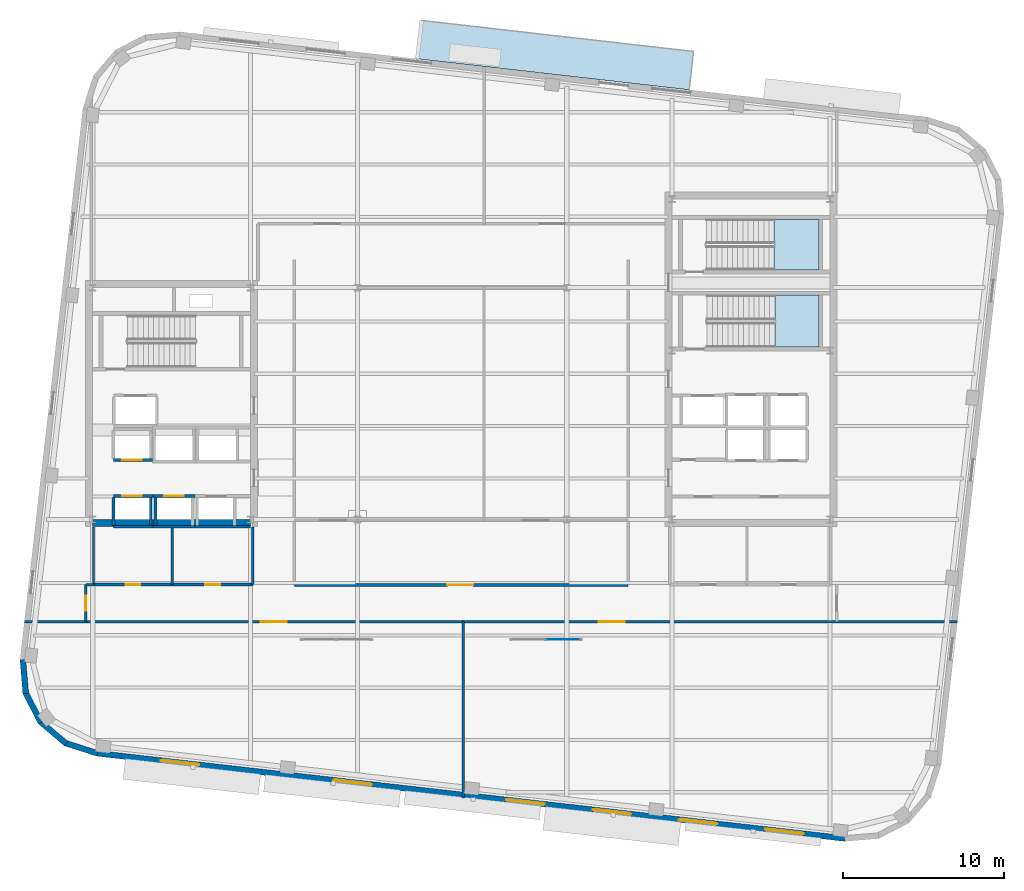
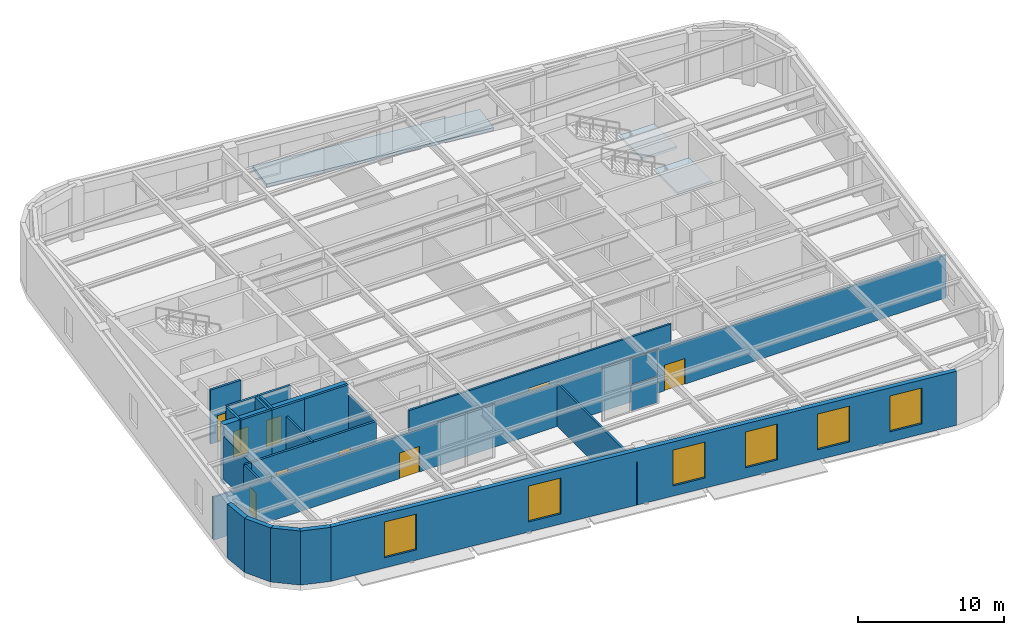
# One storey, part 7 of 15: 24 walls, 9 doors, 6 windows, 3 slabs, 2 plates, 15 openings, 3 elements without a shape of their own.
"""IFC4 building model written with IfcOpenShell, lengths in metres."""

from ifc_helpers import new_model, si_unit, direction, frame, frame_2d, origin, origin_2d, place, context, subcontext, project, spatial, polyline, rectangle, outline, extrude, material, layer, layer_set, type_object, element, fill, aggregate, save


model = new_model("IFC4")

# Units and contexts
model_context = context("Model", 3, precision=1e-05, world=origin(), true_north=direction((0.0, 1.0)))
body_context = subcontext(model_context, "Body", "Model", "MODEL_VIEW")
ifc_project = project(units=[si_unit("LENGTHUNIT", "METRE"), si_unit("AREAUNIT", "SQUARE_METRE"), si_unit("VOLUMEUNIT", "CUBIC_METRE"), si_unit("PLANEANGLEUNIT", "RADIAN"), si_unit("MASSUNIT", "GRAM", prefix="KILO")], contexts=[model_context])

# Site, building, storey
site_placement = place(None, origin())
site = spatial("IfcSite", under=ifc_project, at=site_placement, CompositionType="ELEMENT")
building_placement = place(site_placement, origin())
building = spatial("IfcBuilding", under=site, at=building_placement, Name="Kolvaren Arena Tower", CompositionType="ELEMENT")
storey_placement = place(building_placement, frame((0.0, 0.0, 216.14990234375)))
storey = spatial("IfcBuildingStorey", under=building, at=storey_placement, Name="L52", CompositionType="ELEMENT", Elevation=216.14990234375)

# Curtain wall, plates
ifc_material_1 = material(Name="Anodised aluminium unitised curtain wall", Category="aluminium")
curtain_wall_type = type_object("IfcCurtainWallType", Name="CW-SYS-03", PredefinedType="USERDEFINED", material=ifc_material_1)
curtain_wall_placement = place(storey_placement, origin())
curtain_wall = element("IfcCurtainWall", 1, at=curtain_wall_placement, inside=storey, type_object=curtain_wall_type, Name="Sky Lobby Feature Curtain Wall (L52)", ObjectType="UNITISED CURTAIN WALL", PredefinedType="USERDEFINED")
ifc_material_2 = material(Name="Triple-silver low-E insulated glazing unit", Category="glass")
ifc_layer_1 = layer(ifc_material_2, 0.0439453125)
ifc_layer_set_1 = layer_set([ifc_layer_1], Name="Triple-silver low-E insulated glazing unit")
plate_type = type_object("IfcPlateType", Name="CWP-VIS1", PredefinedType="CURTAIN_PANEL", material=ifc_layer_set_1)
plate_1_placement = place(storey_placement, frame((43.780029296875, 12.0, 0.080078125), z_axis=(0.0, 0.0, 1.0), x_axis=(1.0, 0.0, 0.0)))
plate_1 = element("IfcPlate", 2, at=plate_1_placement, type_object=plate_type, Name="CW3 panel 2.1", PredefinedType="CURTAIN_PANEL", context=body_context, shape_type="SweptSolid", body=[
    extrude(rectangle(XDim=2.080078125, YDim=0.0439453125, at=origin_2d()), origin(), (0.0, 0.0, 1.0), 2.14501953125),
])
plate_2_placement = place(storey_placement, frame((43.780029296875, 12.0, 2.30517578125), z_axis=(0.0, 0.0, 1.0), x_axis=(1.0, 0.0, 0.0)))
plate_2 = element("IfcPlate", 3, at=plate_2_placement, type_object=plate_type, Name="CW3 panel 2.2", PredefinedType="CURTAIN_PANEL", context=body_context, shape_type="SweptSolid", body=[
    extrude(rectangle(XDim=2.080078125, YDim=0.0439453125, at=origin_2d()), origin(), (0.0, 0.0, 1.0), 2.14501953125),
])
aggregate(curtain_wall, [plate_1, plate_2])

# Stair, slab
ifc_material_3 = material(Name="Concrete 45 MPa", Category="concrete")
stair_type_1 = type_object("IfcStairType", Name="STAIR-CORE-165", PredefinedType="HALF_TURN_STAIR", material=ifc_material_3)
stair_1_placement = place(storey_placement, origin())
stair_1 = element("IfcStair", 4, at=stair_1_placement, inside=storey, type_object=stair_type_1, Name="L52 ST-E1", PredefinedType="HALF_TURN_STAIR")
ifc_layer_2 = layer(ifc_material_3, 0.199951171875)
ifc_layer_set_2 = layer_set([ifc_layer_2], Name="Concrete 45 MPa")
slab_type_1 = type_object("IfcSlabType", Name="SLAB-LAND", PredefinedType="LANDING", material=ifc_layer_set_2)
slab_1_placement = place(storey_placement, frame((0.0, 0.0, 2.2001953125)))
slab_1 = element("IfcSlab", 5, at=slab_1_placement, type_object=slab_type_1, Name="ST-E1 landing 1", PredefinedType="LANDING", context=body_context, shape_type="SweptSolid", body=[
    extrude(outline(polyline([(56.931884765625, 30.14990234375), (59.659912109375, 30.14990234375), (59.659912109375, 33.3798828125), (56.931884765625, 33.3798828125), (56.931884765625, 30.14990234375)])), origin(), (0.0, 0.0, 1.0), 0.199951171875),
])
aggregate(stair_1, [slab_1])

stair_type_2 = type_object("IfcStairType", Name="STAIR-CORE-150", PredefinedType="HALF_TURN_STAIR", material=ifc_material_3)
stair_2_placement = place(storey_placement, origin())
stair_2 = element("IfcStair", 6, at=stair_2_placement, inside=storey, type_object=stair_type_2, Name="L52 ST-E2", PredefinedType="HALF_TURN_STAIR")
slab_2_placement = place(storey_placement, frame((0.0, 0.0, 2.2001953125)))
slab_2 = element("IfcSlab", 7, at=slab_2_placement, type_object=slab_type_1, Name="ST-E2 landing 1", PredefinedType="LANDING", context=body_context, shape_type="SweptSolid", body=[
    extrude(outline(polyline([(56.89208984375, 34.949951171875), (59.659912109375, 34.949951171875), (59.659912109375, 38.10009765625), (56.89208984375, 38.10009765625), (56.89208984375, 34.949951171875)])), origin(), (0.0, 0.0, 1.0), 0.199951171875),
])
aggregate(stair_2, [slab_2])

# Slab
ifc_layer_3 = layer(ifc_material_3, 0.2548828125)
ifc_layer_set_3 = layer_set([ifc_layer_3], Name="Concrete 45 MPa")
slab_type_2 = type_object("IfcSlabType", Name="SLAB-TERR", PredefinedType="FLOOR", material=ifc_layer_set_3)
slab_3_placement = place(storey_placement, frame((0.0, 0.0, -0.25)))
element("IfcSlab", 8, at=slab_3_placement, inside=storey, type_object=slab_type_2, Name="L52 Planted Setback Roof Terrace Slab", PredefinedType="FLOOR", context=body_context, shape_type="SweptSolid", body=[
    extrude(outline(polyline([(34.71875, 48.066650390625), (51.609375, 46.14208984375), (51.881103515625, 48.526611328125), (34.990478515625, 50.451171875), (34.71875, 48.066650390625)])), origin(), (0.0, 0.0, 1.0), 0.25),
])

# Wall, opening, door
ifc_material_4 = material(Name="Gypsum board acoustic assembly", Category="gypsum")
ifc_layer_4 = layer(ifc_material_4, 0.159912109375)
ifc_layer_set_4 = layer_set([ifc_layer_4], Name="Gypsum board acoustic assembly")
wall_type_1 = type_object("IfcWallType", Name="CORR-160", PredefinedType="PARTITIONING", material=ifc_layer_set_4)
wall_1_placement = place(storey_placement, frame((27.080078125, 15.3798828125, 0.0), z_axis=(0.0, 0.0, 1.0), x_axis=(1.0, 0.0, 0.0)))
wall_1 = element("IfcWall", 9, at=wall_1_placement, inside=storey, type_object=wall_type_1, Name="Interior Partition Wall (L52)", PredefinedType="PARTITIONING", context=body_context, shape_type="SweptSolid", body=[
    extrude(rectangle(XDim=20.739990234375, YDim=0.159912109375, at=frame_2d((10.3701171875, 0.0))), origin(), (0.0, 0.0, 1.0), 3.590087890625),
])
opening_1_placement = place(wall_1_placement, frame((9.5, 0.0, 0.0)))
opening_1 = element("IfcOpeningElement", 10, at=opening_1_placement, cuts=wall_1, Name="Opening D06", PredefinedType="OPENING", context=body_context, shape_type="SweptSolid", body=[
    extrude(rectangle(XDim=1.60009765625, YDim=2.14990234375, at=frame_2d((0.800048828125, 1.074951171875))), frame((0.0, 0.08984375, 0.0), z_axis=(0.0, -1.0, 0.0), x_axis=(1.0, 0.0, 0.0)), (0.0, 0.0, 1.0), 0.179931640625),
])
ifc_material_5 = material(Name="Glazed acoustic boardroom double door", Category="aluminium")
door_type_1 = type_object("IfcDoorType", Name="DOOR-MT-160", OperationType="DOUBLE_DOOR_SINGLE_SWING", PredefinedType="DOOR", material=ifc_material_5)
door_1_placement = place(opening_1_placement, origin())
door_1 = element("IfcDoor", 11, at=door_1_placement, inside=storey, type_object=door_type_1, Name="South Viewing Lounge Door (L52)", OperationType="DOUBLE_DOOR_SINGLE_SWING", OverallHeight=2.14990234375, OverallWidth=1.60009765625, PredefinedType="DOOR", context=body_context, shape_type="SweptSolid", body=[
    extrude(rectangle(XDim=1.60009765625, YDim=2.14990234375, at=frame_2d((0.800048828125, 1.074951171875))), frame((0.0, 0.02490234375, 0.0), z_axis=(0.0, -1.0, 0.0), x_axis=(1.0, 0.0, 0.0)), (0.0, 0.0, 1.0), 0.050048828125),
])
fill(opening_1, door_1)

# Wall
wall_2_placement = place(storey_placement, frame((14.1201171875, 15.39990234375, 0.0), z_axis=(0.0, 0.0, 1.0), x_axis=(1.0, 0.0, 0.0)))
element("IfcWall", 12, at=wall_2_placement, inside=storey, type_object=wall_type_1, Name="Interior Partition Wall (L52)", PredefinedType="PARTITIONING", context=body_context, shape_type="SweptSolid", body=[
    extrude(rectangle(XDim=0.5, YDim=0.159912109375, at=frame_2d((0.25, 0.0))), origin(), (0.0, 0.0, 1.0), 3.590087890625),
])

# Wall, openings, doors
wall_3_placement = place(storey_placement, frame((10.303466796875, 13.10009765625, 0.0), z_axis=(0.0, 0.0, 1.0), x_axis=(1.0, 0.0, 0.0)))
wall_3 = element("IfcWall", 13, at=wall_3_placement, inside=storey, type_object=wall_type_1, Name="Interior Partition Wall (L52)", PredefinedType="PARTITIONING", context=body_context, shape_type="SweptSolid", body=[
    extrude(rectangle(XDim=57.97265625, YDim=0.159912109375, at=frame_2d((28.986328125, 0.0))), origin(), (0.0, 0.0, 1.0), 3.590087890625),
])
opening_2_placement = place(wall_3_placement, frame((14.696533203125, 0.0, 0.0)))
opening_2 = element("IfcOpeningElement", 14, at=opening_2_placement, cuts=wall_3, Name="Opening D06", PredefinedType="OPENING", context=body_context, shape_type="SweptSolid", body=[
    extrude(rectangle(XDim=1.60009765625, YDim=2.14990234375, at=frame_2d((0.800048828125, 1.074951171875))), frame((0.0, 0.08984375, 0.0), z_axis=(0.0, -1.0, 0.0), x_axis=(1.0, 0.0, 0.0)), (0.0, 0.0, 1.0), 0.179931640625),
])
opening_3_placement = place(wall_3_placement, frame((35.696533203125, 0.0, 0.0)))
opening_3 = element("IfcOpeningElement", 15, at=opening_3_placement, cuts=wall_3, Name="Opening D06", PredefinedType="OPENING", context=body_context, shape_type="SweptSolid", body=[
    extrude(rectangle(XDim=1.60009765625, YDim=2.14990234375, at=frame_2d((0.800048828125, 1.074951171875))), frame((0.0, 0.08984375, 0.0), z_axis=(0.0, -1.0, 0.0), x_axis=(1.0, 0.0, 0.0)), (0.0, 0.0, 1.0), 0.179931640625),
])
door_2_placement = place(opening_2_placement, origin())
door_2 = element("IfcDoor", 16, at=door_2_placement, inside=storey, type_object=door_type_1, Name="South Salon Door (L52)", OperationType="DOUBLE_DOOR_SINGLE_SWING", OverallHeight=2.14990234375, OverallWidth=1.60009765625, PredefinedType="DOOR", context=body_context, shape_type="SweptSolid", body=[
    extrude(rectangle(XDim=1.60009765625, YDim=2.14990234375, at=frame_2d((0.800048828125, 1.074951171875))), frame((0.0, 0.02490234375, 0.0), z_axis=(0.0, -1.0, 0.0), x_axis=(1.0, 0.0, 0.0)), (0.0, 0.0, 1.0), 0.050048828125),
])
fill(opening_2, door_2)
door_3_placement = place(opening_3_placement, origin())
door_3 = element("IfcDoor", 17, at=door_3_placement, inside=storey, type_object=door_type_1, Name="Tenant Suite Door (L52)", OperationType="DOUBLE_DOOR_SINGLE_SWING", OverallHeight=2.14990234375, OverallWidth=1.60009765625, PredefinedType="DOOR", context=body_context, shape_type="SweptSolid", body=[
    extrude(rectangle(XDim=1.60009765625, YDim=2.14990234375, at=frame_2d((0.800048828125, 1.074951171875))), frame((0.0, 0.02490234375, 0.0), z_axis=(0.0, -1.0, 0.0), x_axis=(1.0, 0.0, 0.0)), (0.0, 0.0, 1.0), 0.050048828125),
])
fill(opening_3, door_3)

# Wall
wall_4_placement = place(storey_placement, frame((37.570068359375, 2.148681640625, 0.0), z_axis=(0.0, 0.0, 1.0), x_axis=(0.0, 1.0, 0.0)))
element("IfcWall", 18, at=wall_4_placement, inside=storey, type_object=wall_type_1, Name="Interior Partition Wall (L52)", PredefinedType="PARTITIONING", context=body_context, shape_type="SweptSolid", body=[
    extrude(rectangle(XDim=10.951416015625, YDim=0.159912109375, at=frame_2d((5.4755859375, 0.0))), origin(), (0.0, 0.0, 1.0), 3.590087890625),
])

# Wall, opening, door
wall_5_placement = place(storey_placement, frame((14.1201171875, 13.1201171875, 0.0), z_axis=(0.0, 0.0, 1.0), x_axis=(0.0, 1.0, 0.0)))
wall_5 = element("IfcWall", 19, at=wall_5_placement, inside=storey, type_object=wall_type_1, Name="Interior Partition Wall (L52)", PredefinedType="PARTITIONING", context=body_context, shape_type="SweptSolid", body=[
    extrude(rectangle(XDim=2.2998046875, YDim=0.159912109375, at=frame_2d((1.14990234375, 0.0))), origin(), (0.0, 0.0, 1.0), 3.590087890625),
])
opening_4_placement = place(wall_5_placement, frame((0.64990234375, 0.0, 0.0)))
opening_4 = element("IfcOpeningElement", 20, at=opening_4_placement, cuts=wall_5, Name="Opening D05", PredefinedType="OPENING", context=body_context, shape_type="SweptSolid", body=[
    extrude(rectangle(XDim=0.949951171875, YDim=2.14990234375, at=frame_2d((0.47509765625, 1.074951171875))), frame((0.0, 0.08984375, 0.0), z_axis=(0.0, -1.0, 0.0), x_axis=(1.0, 0.0, 0.0)), (0.0, 0.0, 1.0), 0.179931640625),
])
ifc_material_6 = material(Name="Solid-core oak acoustic office door", Category="wood")
door_type_2 = type_object("IfcDoorType", Name="DOOR-OF-095", OperationType="NOTDEFINED", PredefinedType="DOOR", material=ifc_material_6)
door_4_placement = place(opening_4_placement, origin())
door_4 = element("IfcDoor", 21, at=door_4_placement, inside=storey, type_object=door_type_2, Name="West Salon Door (L52)", OperationType="SINGLE_SWING_LEFT", OverallHeight=2.14990234375, OverallWidth=0.949951171875, PredefinedType="DOOR", context=body_context, shape_type="SweptSolid", body=[
    extrude(rectangle(XDim=0.949951171875, YDim=2.14990234375, at=frame_2d((0.47509765625, 1.074951171875))), frame((0.0, 0.02490234375, 0.0), z_axis=(0.0, -1.0, 0.0), x_axis=(1.0, 0.0, 0.0)), (0.0, 0.0, 1.0), 0.050048828125),
])
fill(opening_4, door_4)

# Walls
ifc_material_7 = material(Name="Concrete 55 MPa", Category="concrete")
ifc_layer_5 = layer(ifc_material_7, 0.449951171875)
ifc_layer_set_5 = layer_set([ifc_layer_5], Name="Concrete 55 MPa")
wall_type_2 = type_object("IfcWallType", Name="CWALL-450", PredefinedType="SHEAR", material=ifc_layer_set_5)
wall_6_placement = place(storey_placement, frame((14.550048828125, 19.22509765625, -0.449951171875), z_axis=(0.0, 0.0, 1.0), x_axis=(1.0, 0.0, 0.0)))
element("IfcWall", 22, at=wall_6_placement, inside=storey, type_object=wall_type_2, Name="Core Shear Wall WC-SOUTH (L52)", PredefinedType="SHEAR", context=body_context, shape_type="SweptSolid", body=[
    extrude(rectangle(XDim=9.800048828125, YDim=0.449951171875, at=frame_2d((4.89990234375, 0.0))), origin(), (0.0, 0.0, 1.0), 4.97998046875),
])
ifc_material_8 = material(Name="Precast concrete C50/60", Category="concrete")
ifc_layer_6 = layer(ifc_material_8, 0.360107421875)
ifc_layer_set_6 = layer_set([ifc_layer_6], Name="Precast concrete C50/60")
wall_type_3 = type_object("IfcWallType", Name="EXT-PIER2", PredefinedType="SOLIDWALL", material=ifc_layer_set_6)
wall_7_placement = place(storey_placement, frame((10.38623046875, 8.63623046875, 0.0), z_axis=(0.0, 0.0, 1.0), x_axis=(-0.082729038891, 0.996572077737, 0.0)))
element("IfcWall", 23, at=wall_7_placement, inside=storey, type_object=wall_type_3, Name="Exterior Precast Masonry-Frame Wall (L52)", PredefinedType="SOLIDWALL", context=body_context, shape_type="SweptSolid", body=[
    extrude(rectangle(XDim=2.107177734375, YDim=0.360107421875, at=frame_2d((1.0537109375, 0.0))), origin(), (0.0, 0.0, 1.0), 4.530029296875),
])
for number, where, z_axis, x_axis, name in (
    (24, (11.33154296875, 6.830810546875, 0.0), (0.0, 0.0, 1.0), (-0.457934390142, 0.888985992199, 0.0), "Exterior Precast Masonry-Frame Wall (L52)"),
    (25, (12.89599609375, 5.5244140625, 0.0), (0.0, 0.0, 1.0), (-0.763250018691, 0.646103249464, 0.0), "Exterior Precast Masonry-Frame Wall (L52)"),
    (26, (14.84130859375, 4.916015625, 0.0), (0.0, 0.0, 1.0), (-0.952393196904, 0.304872429864, 0.0), "Exterior Precast Masonry-Frame Wall (L52)"),
):
    element("IfcWall", number, at=place(storey_placement, frame(where, z_axis=z_axis, x_axis=x_axis)), inside=storey, type_object=wall_type_3, Name=name, PredefinedType="SOLIDWALL", context=body_context, shape_type="SweptSolid", body=[
        extrude(rectangle(XDim=2.10693359375, YDim=0.360107421875, at=frame_2d((1.053466796875, 0.0))), origin(), (0.0, 0.0, 1.0), 4.530029296875),
    ])

# Wall, openings, windows
wall_8_placement = place(storey_placement, frame((61.305908203125, -0.37451171875, 0.0), z_axis=(0.0, 0.0, 1.0), x_axis=(-0.993571958919, 0.113202307616, 0.0)))
wall_8 = element("IfcWall", 27, at=wall_8_placement, inside=storey, type_object=wall_type_3, Name="Exterior Precast Masonry-Frame Wall (L52)", PredefinedType="SOLIDWALL", context=body_context, shape_type="SweptSolid", body=[
    extrude(rectangle(XDim=46.7998046875, YDim=0.360107421875, at=frame_2d((23.39990234375, 0.0))), origin(), (0.0, 0.0, 1.0), 4.530029296875),
])
opening_5_placement = place(wall_8_placement, frame((2.60009765625, 0.0, 0.85009765625)))
opening_5 = element("IfcOpeningElement", 28, at=opening_5_placement, cuts=wall_8, Name="Opening W05", PredefinedType="OPENING", context=body_context, shape_type="SweptSolid", body=[
    extrude(rectangle(XDim=2.39990234375, YDim=3.0, at=frame_2d((1.199951171875, 1.5))), frame((0.0, 0.18994140625, 0.0), z_axis=(0.0, -1.0, 0.0), x_axis=(1.0, 0.0, 0.0)), (0.0, 0.0, 1.0), 0.380126953125),
])
opening_6_placement = place(wall_8_placement, frame((8.0, 0.0, 0.85009765625)))
opening_6 = element("IfcOpeningElement", 29, at=opening_6_placement, cuts=wall_8, Name="Opening W05", PredefinedType="OPENING", context=body_context, shape_type="SweptSolid", body=[
    extrude(rectangle(XDim=2.39990234375, YDim=3.0, at=frame_2d((1.199951171875, 1.5))), frame((0.0, 0.18994140625, 0.0), z_axis=(0.0, -1.0, 0.0), x_axis=(1.0, 0.0, 0.0)), (0.0, 0.0, 1.0), 0.380126953125),
])
opening_7_placement = place(wall_8_placement, frame((13.39990234375, 0.0, 0.85009765625)))
opening_7 = element("IfcOpeningElement", 30, at=opening_7_placement, cuts=wall_8, Name="Opening W05", PredefinedType="OPENING", context=body_context, shape_type="SweptSolid", body=[
    extrude(rectangle(XDim=2.39990234375, YDim=3.0, at=frame_2d((1.199951171875, 1.5))), frame((0.0, 0.18994140625, 0.0), z_axis=(0.0, -1.0, 0.0), x_axis=(1.0, 0.0, 0.0)), (0.0, 0.0, 1.0), 0.380126953125),
])
opening_8_placement = place(wall_8_placement, frame((18.800048828125, 0.0, 0.85009765625)))
opening_8 = element("IfcOpeningElement", 31, at=opening_8_placement, cuts=wall_8, Name="Opening W05", PredefinedType="OPENING", context=body_context, shape_type="SweptSolid", body=[
    extrude(rectangle(XDim=2.39990234375, YDim=3.0, at=frame_2d((1.199951171875, 1.5))), frame((0.0, 0.18994140625, 0.0), z_axis=(0.0, -1.0, 0.0), x_axis=(1.0, 0.0, 0.0)), (0.0, 0.0, 1.0), 0.380126953125),
])
opening_9_placement = place(wall_8_placement, frame((29.60009765625, 0.0, 0.85009765625)))
opening_9 = element("IfcOpeningElement", 32, at=opening_9_placement, cuts=wall_8, Name="Opening W05", PredefinedType="OPENING", context=body_context, shape_type="SweptSolid", body=[
    extrude(rectangle(XDim=2.39990234375, YDim=3.0, at=frame_2d((1.199951171875, 1.5))), frame((0.0, 0.18994140625, 0.0), z_axis=(0.0, -1.0, 0.0), x_axis=(1.0, 0.0, 0.0)), (0.0, 0.0, 1.0), 0.380126953125),
])
opening_10_placement = place(wall_8_placement, frame((40.39990234375, 0.0, 0.85009765625)))
opening_10 = element("IfcOpeningElement", 33, at=opening_10_placement, cuts=wall_8, Name="Opening W05", PredefinedType="OPENING", context=body_context, shape_type="SweptSolid", body=[
    extrude(rectangle(XDim=2.39990234375, YDim=3.0, at=frame_2d((1.199951171875, 1.5))), frame((0.0, 0.18994140625, 0.0), z_axis=(0.0, -1.0, 0.0), x_axis=(1.0, 0.0, 0.0)), (0.0, 0.0, 1.0), 0.380126953125),
])
ifc_material_9 = material(Name="Triple-glazed sky-lobby tall window", Category="glass")
window_type = type_object("IfcWindowType", Name="WIN-SKY-A", PartitioningType="DOUBLE_PANEL_VERTICAL", PredefinedType="WINDOW", material=ifc_material_9)
window_1_placement = place(opening_5_placement, origin())
window_1 = element("IfcWindow", 34, at=window_1_placement, inside=storey, type_object=window_type, Name="Punched Precast-Pier Window (L52)", OverallHeight=3.0, OverallWidth=2.39990234375, PartitioningType="DOUBLE_PANEL_VERTICAL", PredefinedType="WINDOW", context=body_context, shape_type="SweptSolid", body=[
    extrude(rectangle(XDim=2.39990234375, YDim=3.0, at=frame_2d((1.199951171875, 1.5))), frame((0.0, 0.030029296875, 0.0), z_axis=(0.0, -1.0, 0.0), x_axis=(1.0, 0.0, 0.0)), (0.0, 0.0, 1.0), 0.06005859375),
])
fill(opening_5, window_1)
window_2_placement = place(opening_6_placement, origin())
window_2 = element("IfcWindow", 35, at=window_2_placement, inside=storey, type_object=window_type, Name="Punched Precast-Pier Window (L52)", OverallHeight=3.0, OverallWidth=2.39990234375, PartitioningType="DOUBLE_PANEL_VERTICAL", PredefinedType="WINDOW", context=body_context, shape_type="SweptSolid", body=[
    extrude(rectangle(XDim=2.39990234375, YDim=3.0, at=frame_2d((1.199951171875, 1.5))), frame((0.0, 0.030029296875, 0.0), z_axis=(0.0, -1.0, 0.0), x_axis=(1.0, 0.0, 0.0)), (0.0, 0.0, 1.0), 0.06005859375),
])
fill(opening_6, window_2)
window_3_placement = place(opening_7_placement, origin())
window_3 = element("IfcWindow", 36, at=window_3_placement, inside=storey, type_object=window_type, Name="Punched Precast-Pier Window (L52)", OverallHeight=3.0, OverallWidth=2.39990234375, PartitioningType="DOUBLE_PANEL_VERTICAL", PredefinedType="WINDOW", context=body_context, shape_type="SweptSolid", body=[
    extrude(rectangle(XDim=2.39990234375, YDim=3.0, at=frame_2d((1.199951171875, 1.5))), frame((0.0, 0.030029296875, 0.0), z_axis=(0.0, -1.0, 0.0), x_axis=(1.0, 0.0, 0.0)), (0.0, 0.0, 1.0), 0.06005859375),
])
fill(opening_7, window_3)
window_4_placement = place(opening_8_placement, origin())
window_4 = element("IfcWindow", 37, at=window_4_placement, inside=storey, type_object=window_type, Name="Punched Precast-Pier Window (L52)", OverallHeight=3.0, OverallWidth=2.39990234375, PartitioningType="DOUBLE_PANEL_VERTICAL", PredefinedType="WINDOW", context=body_context, shape_type="SweptSolid", body=[
    extrude(rectangle(XDim=2.39990234375, YDim=3.0, at=frame_2d((1.199951171875, 1.5))), frame((0.0, 0.030029296875, 0.0), z_axis=(0.0, -1.0, 0.0), x_axis=(1.0, 0.0, 0.0)), (0.0, 0.0, 1.0), 0.06005859375),
])
fill(opening_8, window_4)
window_5_placement = place(opening_9_placement, origin())
window_5 = element("IfcWindow", 38, at=window_5_placement, inside=storey, type_object=window_type, Name="Punched Precast-Pier Window (L52)", OverallHeight=3.0, OverallWidth=2.39990234375, PartitioningType="DOUBLE_PANEL_VERTICAL", PredefinedType="WINDOW", context=body_context, shape_type="SweptSolid", body=[
    extrude(rectangle(XDim=2.39990234375, YDim=3.0, at=frame_2d((1.199951171875, 1.5))), frame((0.0, 0.030029296875, 0.0), z_axis=(0.0, -1.0, 0.0), x_axis=(1.0, 0.0, 0.0)), (0.0, 0.0, 1.0), 0.06005859375),
])
fill(opening_9, window_5)
window_6_placement = place(opening_10_placement, origin())
window_6 = element("IfcWindow", 39, at=window_6_placement, inside=storey, type_object=window_type, Name="Punched Precast-Pier Window (L52)", OverallHeight=3.0, OverallWidth=2.39990234375, PartitioningType="DOUBLE_PANEL_VERTICAL", PredefinedType="WINDOW", context=body_context, shape_type="SweptSolid", body=[
    extrude(rectangle(XDim=2.39990234375, YDim=3.0, at=frame_2d((1.199951171875, 1.5))), frame((0.0, 0.030029296875, 0.0), z_axis=(0.0, -1.0, 0.0), x_axis=(1.0, 0.0, 0.0)), (0.0, 0.0, 1.0), 0.06005859375),
])
fill(opening_10, window_6)

# Wall, opening, door
ifc_layer_7 = layer(ifc_material_3, 0.25)
ifc_layer_set_7 = layer_set([ifc_layer_7], Name="Concrete 45 MPa")
wall_type_4 = type_object("IfcWallType", Name="SHAFT-250", PredefinedType="SOLIDWALL", material=ifc_layer_set_7)
wall_9_placement = place(storey_placement, frame((15.844970703125, 20.905029296875, 0.0), z_axis=(0.0, 0.0, 1.0), x_axis=(1.0, 0.0, 0.0)))
wall_9 = element("IfcWall", 40, at=wall_9_placement, inside=storey, type_object=wall_type_4, Name="Core Shaft Wall (L52)", PredefinedType="SOLIDWALL", context=body_context, shape_type="SweptSolid", body=[
    extrude(rectangle(XDim=2.455078125, YDim=0.179931640625, at=frame_2d((1.2275390625, 0.0))), origin(), (0.0, 0.0, 1.0), 4.530029296875),
])
opening_11_placement = place(wall_9_placement, frame((0.554931640625, 0.0, 0.0)))
opening_11 = element("IfcOpeningElement", 41, at=opening_11_placement, cuts=wall_9, Name="Opening LD1", PredefinedType="OPENING", context=body_context, shape_type="SweptSolid", body=[
    extrude(rectangle(XDim=1.199951171875, YDim=2.199951171875, at=frame_2d((0.60009765625, 1.10009765625))), frame((0.0, 0.099853515625, 0.0), z_axis=(0.0, -1.0, 0.0), x_axis=(1.0, 0.0, 0.0)), (0.0, 0.0, 1.0), 0.199951171875),
])
ifc_material_10 = material(Name="Stainless steel passenger lift landing door", Category="steel")
door_type_3 = type_object("IfcDoorType", Name="DOOR-LD-120", OperationType="DOUBLE_DOOR_SLIDING", PredefinedType="DOOR", material=ifc_material_10)
door_5_placement = place(opening_11_placement, origin())
door_5 = element("IfcDoor", 42, at=door_5_placement, inside=storey, type_object=door_type_3, Name="Lift EL-MR1 Landing Door (L52)", OperationType="DOUBLE_DOOR_SLIDING", OverallHeight=2.199951171875, OverallWidth=1.199951171875, PredefinedType="DOOR", context=body_context, shape_type="SweptSolid", body=[
    extrude(rectangle(XDim=1.199951171875, YDim=2.199951171875, at=frame_2d((0.60009765625, 1.10009765625))), frame((0.0, 0.02490234375, 0.0), z_axis=(0.0, -1.0, 0.0), x_axis=(1.0, 0.0, 0.0)), (0.0, 0.0, 1.0), 0.050048828125),
])
fill(opening_11, door_5)

# Walls
wall_10_placement = place(storey_placement, frame((15.844970703125, 18.9951171875, 0.0), z_axis=(0.0, 0.0, 1.0), x_axis=(1.0, 0.0, 0.0)))
element("IfcWall", 43, at=wall_10_placement, inside=storey, type_object=wall_type_4, Name="Core Shaft Wall (L52)", PredefinedType="SOLIDWALL", context=body_context, shape_type="SweptSolid", body=[
    extrude(rectangle(XDim=2.455078125, YDim=0.179931640625, at=frame_2d((1.2275390625, 0.0))), origin(), (0.0, 0.0, 1.0), 4.530029296875),
])
for number, where, z_axis, x_axis, name in (
    (44, (15.844970703125, 19.0849609375, 0.0), (0.0, 0.0, 1.0), (0.0, 1.0, 0.0), "Core Shaft Wall (L52)"),
    (45, (18.155029296875, 19.0849609375, 0.0), (0.0, 0.0, 1.0), (0.0, 1.0, 0.0), "Core Shaft Wall (L52)"),
):
    element("IfcWall", number, at=place(storey_placement, frame(where, z_axis=z_axis, x_axis=x_axis)), inside=storey, type_object=wall_type_4, Name=name, PredefinedType="SOLIDWALL", context=body_context, shape_type="SweptSolid", body=[
        extrude(rectangle(XDim=1.72998046875, YDim=0.179931640625, at=frame_2d((0.864990234375, 0.0))), origin(), (0.0, 0.0, 1.0), 4.530029296875),
    ])

# Wall, opening, door
wall_11_placement = place(storey_placement, frame((18.300048828125, 20.905029296875, 0.0), z_axis=(0.0, 0.0, 1.0), x_axis=(1.0, 0.0, 0.0)))
wall_11 = element("IfcWall", 46, at=wall_11_placement, inside=storey, type_object=wall_type_4, Name="Core Shaft Wall (L52)", PredefinedType="SOLIDWALL", context=body_context, shape_type="SweptSolid", body=[
    extrude(rectangle(XDim=2.599853515625, YDim=0.179931640625, at=frame_2d((1.2998046875, 0.0))), origin(), (0.0, 0.0, 1.0), 4.530029296875),
])
opening_12_placement = place(wall_11_placement, frame((0.699951171875, 0.0, 0.0)))
opening_12 = element("IfcOpeningElement", 47, at=opening_12_placement, cuts=wall_11, Name="Opening LD1", PredefinedType="OPENING", context=body_context, shape_type="SweptSolid", body=[
    extrude(rectangle(XDim=1.199951171875, YDim=2.199951171875, at=frame_2d((0.60009765625, 1.10009765625))), frame((0.0, 0.099853515625, 0.0), z_axis=(0.0, -1.0, 0.0), x_axis=(1.0, 0.0, 0.0)), (0.0, 0.0, 1.0), 0.199951171875),
])
door_6_placement = place(opening_12_placement, origin())
door_6 = element("IfcDoor", 48, at=door_6_placement, inside=storey, type_object=door_type_3, Name="Lift EL-MR2 Landing Door (L52)", OperationType="DOUBLE_DOOR_SLIDING", OverallHeight=2.199951171875, OverallWidth=1.199951171875, PredefinedType="DOOR", context=body_context, shape_type="SweptSolid", body=[
    extrude(rectangle(XDim=1.199951171875, YDim=2.199951171875, at=frame_2d((0.60009765625, 1.10009765625))), frame((0.0, 0.02490234375, 0.0), z_axis=(0.0, -1.0, 0.0), x_axis=(1.0, 0.0, 0.0)), (0.0, 0.0, 1.0), 0.050048828125),
])
fill(opening_12, door_6)

# Walls
wall_12_placement = place(storey_placement, frame((18.300048828125, 18.9951171875, 0.0), z_axis=(0.0, 0.0, 1.0), x_axis=(1.0, 0.0, 0.0)))
element("IfcWall", 49, at=wall_12_placement, inside=storey, type_object=wall_type_4, Name="Core Shaft Wall (L52)", PredefinedType="SOLIDWALL", context=body_context, shape_type="SweptSolid", body=[
    extrude(rectangle(XDim=2.599853515625, YDim=0.179931640625, at=frame_2d((1.2998046875, 0.0))), origin(), (0.0, 0.0, 1.0), 4.530029296875),
])
wall_13_placement = place(storey_placement, frame((18.445068359375, 19.0849609375, 0.0), z_axis=(0.0, 0.0, 1.0), x_axis=(0.0, 1.0, 0.0)))
element("IfcWall", 50, at=wall_13_placement, inside=storey, type_object=wall_type_4, Name="Core Shaft Wall (L52)", PredefinedType="SOLIDWALL", context=body_context, shape_type="SweptSolid", body=[
    extrude(rectangle(XDim=1.72998046875, YDim=0.179931640625, at=frame_2d((0.864990234375, 0.0))), origin(), (0.0, 0.0, 1.0), 4.530029296875),
])
wall_14_placement = place(storey_placement, frame((20.89990234375, 18.9951171875, 0.0), z_axis=(0.0, 0.0, 1.0), x_axis=(1.0, 0.0, 0.0)))
element("IfcWall", 51, at=wall_14_placement, inside=storey, type_object=wall_type_4, Name="Core Shaft Wall (L52)", PredefinedType="SOLIDWALL", context=body_context, shape_type="SweptSolid", body=[
    extrude(rectangle(XDim=3.4501953125, YDim=0.179931640625, at=frame_2d((1.72509765625, 0.0))), origin(), (0.0, 0.0, 1.0), 4.530029296875),
])

# Wall, opening, door
wall_15_placement = place(storey_placement, frame((15.844970703125, 23.14501953125, 0.0), z_axis=(0.0, 0.0, 1.0), x_axis=(1.0, 0.0, 0.0)))
wall_15 = element("IfcWall", 52, at=wall_15_placement, inside=storey, type_object=wall_type_4, Name="Core Shaft Wall (L52)", PredefinedType="SOLIDWALL", context=body_context, shape_type="SweptSolid", body=[
    extrude(rectangle(XDim=2.41748046875, YDim=0.179931640625, at=frame_2d((1.208740234375, 0.0))), origin(), (0.0, 0.0, 1.0), 4.530029296875),
])
opening_13_placement = place(wall_15_placement, frame((0.554931640625, 0.0, 0.0)))
opening_13 = element("IfcOpeningElement", 53, at=opening_13_placement, cuts=wall_15, Name="Opening LD1", PredefinedType="OPENING", context=body_context, shape_type="SweptSolid", body=[
    extrude(rectangle(XDim=1.199951171875, YDim=2.199951171875, at=frame_2d((0.60009765625, 1.10009765625))), frame((0.0, 0.099853515625, 0.0), z_axis=(0.0, -1.0, 0.0), x_axis=(1.0, 0.0, 0.0)), (0.0, 0.0, 1.0), 0.199951171875),
])
door_7_placement = place(opening_13_placement, origin())
door_7 = element("IfcDoor", 54, at=door_7_placement, inside=storey, type_object=door_type_3, Name="Lift EL-MR4 Landing Door (L52)", OperationType="DOUBLE_DOOR_SLIDING", OverallHeight=2.199951171875, OverallWidth=1.199951171875, PredefinedType="DOOR", context=body_context, shape_type="SweptSolid", body=[
    extrude(rectangle(XDim=1.199951171875, YDim=2.199951171875, at=frame_2d((0.60009765625, 1.10009765625))), frame((0.0, 0.02490234375, 0.0), z_axis=(0.0, -1.0, 0.0), x_axis=(1.0, 0.0, 0.0)), (0.0, 0.0, 1.0), 0.050048828125),
])
fill(opening_13, door_7)

# Wall
ifc_material_11 = material(Name="Moisture-resistant gypsum assembly", Category="gypsum")
ifc_layer_8 = layer(ifc_material_11, 0.14990234375)
ifc_layer_set_8 = layer_set([ifc_layer_8], Name="Moisture-resistant gypsum assembly")
wall_type_5 = type_object("IfcWallType", Name="WETW-150", PredefinedType="PARTITIONING", material=ifc_layer_set_8)
wall_16_placement = place(storey_placement, frame((19.5, 15.39990234375, 0.0), z_axis=(0.0, 0.0, 1.0), x_axis=(0.0, 1.0, 0.0)))
element("IfcWall", 55, at=wall_16_placement, inside=storey, type_object=wall_type_5, Name="Interior Partition Wall (L52)", PredefinedType="PARTITIONING", context=body_context, shape_type="SweptSolid", body=[
    extrude(rectangle(XDim=3.580078125, YDim=0.14990234375, at=frame_2d((1.7900390625, 0.0))), origin(), (0.0, 0.0, 1.0), 3.590087890625),
])

# Wall, openings, doors
wall_17_placement = place(storey_placement, frame((14.60009765625, 15.39990234375, 0.0), z_axis=(0.0, 0.0, 1.0), x_axis=(1.0, 0.0, 0.0)))
wall_17 = element("IfcWall", 56, at=wall_17_placement, inside=storey, type_object=wall_type_5, Name="Interior Partition Wall (L52)", PredefinedType="PARTITIONING", context=body_context, shape_type="SweptSolid", body=[
    extrude(rectangle(XDim=9.89990234375, YDim=0.179931640625, at=frame_2d((4.949951171875, 0.0))), origin(), (0.0, 0.0, 1.0), 3.590087890625),
])
opening_14_placement = place(wall_17_placement, frame((1.989990234375, 0.0, 0.0)))
opening_14 = element("IfcOpeningElement", 57, at=opening_14_placement, cuts=wall_17, Name="Opening D07", PredefinedType="OPENING", context=body_context, shape_type="SweptSolid", body=[
    extrude(rectangle(XDim=0.919921875, YDim=2.10009765625, at=frame_2d((0.4599609375, 1.050048828125))), frame((0.0, 0.099853515625, 0.0), z_axis=(0.0, -1.0, 0.0), x_axis=(1.0, 0.0, 0.0)), (0.0, 0.0, 1.0), 0.199951171875),
])
opening_15_placement = place(wall_17_placement, frame((6.93994140625, 0.0, 0.0)))
opening_15 = element("IfcOpeningElement", 58, at=opening_15_placement, cuts=wall_17, Name="Opening D07", PredefinedType="OPENING", context=body_context, shape_type="SweptSolid", body=[
    extrude(rectangle(XDim=0.919921875, YDim=2.10009765625, at=frame_2d((0.4599609375, 1.050048828125))), frame((0.0, 0.099853515625, 0.0), z_axis=(0.0, -1.0, 0.0), x_axis=(1.0, 0.0, 0.0)), (0.0, 0.0, 1.0), 0.199951171875),
])
ifc_material_12 = material(Name="Laminate universal washroom door", Category="wood")
door_type_4 = type_object("IfcDoorType", Name="DOOR-WC-092", OperationType="NOTDEFINED", PredefinedType="DOOR", material=ifc_material_12)
door_8_placement = place(opening_14_placement, origin())
door_8 = element("IfcDoor", 59, at=door_8_placement, inside=storey, type_object=door_type_4, Name="Universal Barrier-Free Washroom Door (L52)", OperationType="SINGLE_SWING_RIGHT", OverallHeight=2.10009765625, OverallWidth=0.919921875, PredefinedType="DOOR", context=body_context, shape_type="SweptSolid", body=[
    extrude(rectangle(XDim=0.919921875, YDim=2.10009765625, at=frame_2d((0.4599609375, 1.050048828125))), frame((0.0, 0.02490234375, 0.0), z_axis=(0.0, -1.0, 0.0), x_axis=(1.0, 0.0, 0.0)), (0.0, 0.0, 1.0), 0.050048828125),
])
fill(opening_14, door_8)
door_9_placement = place(opening_15_placement, origin())
door_9 = element("IfcDoor", 60, at=door_9_placement, inside=storey, type_object=door_type_4, Name="Gender-Neutral Washroom Door (L52)", OperationType="SINGLE_SWING_LEFT", OverallHeight=2.10009765625, OverallWidth=0.919921875, PredefinedType="DOOR", context=body_context, shape_type="SweptSolid", body=[
    extrude(rectangle(XDim=0.919921875, YDim=2.10009765625, at=frame_2d((0.4599609375, 1.050048828125))), frame((0.0, 0.02490234375, 0.0), z_axis=(0.0, -1.0, 0.0), x_axis=(1.0, 0.0, 0.0)), (0.0, 0.0, 1.0), 0.050048828125),
])
fill(opening_15, door_9)

# Walls
for number, where, z_axis, x_axis, name in (
    (61, (14.60009765625, 15.39990234375, 0.0), (0.0, 0.0, 1.0), (0.0, 1.0, 0.0), "Interior Partition Wall (L52)"),
    (62, (24.5, 15.39990234375, 0.0), (0.0, 0.0, 1.0), (0.0, 1.0, 0.0), "Interior Partition Wall (L52)"),
):
    element("IfcWall", number, at=place(storey_placement, frame(where, z_axis=z_axis, x_axis=x_axis)), inside=storey, type_object=wall_type_5, Name=name, PredefinedType="PARTITIONING", context=body_context, shape_type="SweptSolid", body=[
        extrude(rectangle(XDim=3.580078125, YDim=0.14990234375, at=frame_2d((1.7900390625, 0.0))), origin(), (0.0, 0.0, 1.0), 3.590087890625),
    ])

save(model, "model.ifc")
